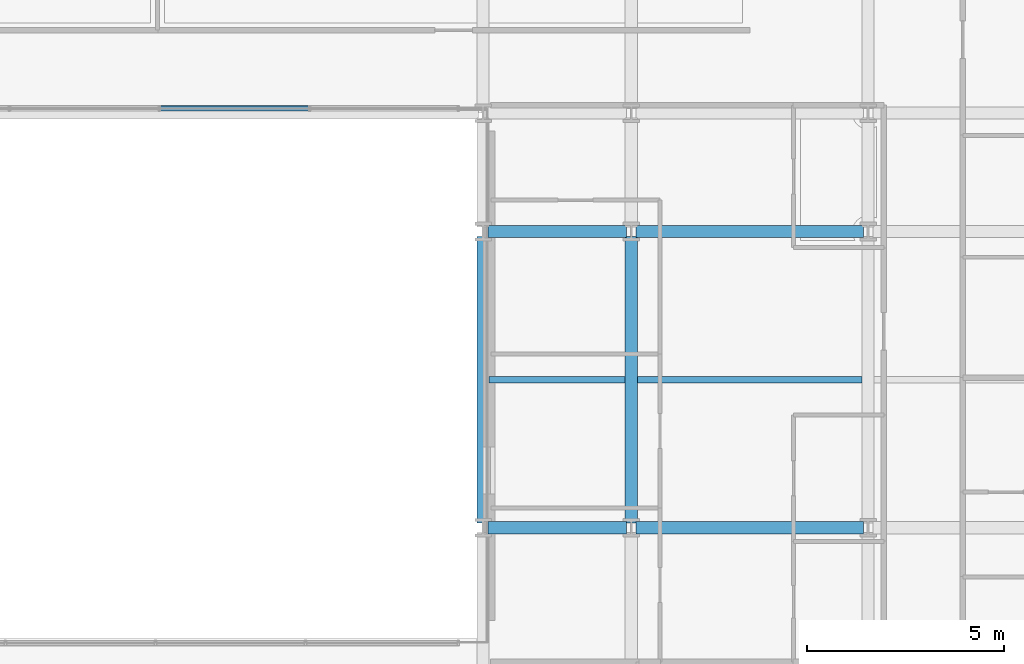
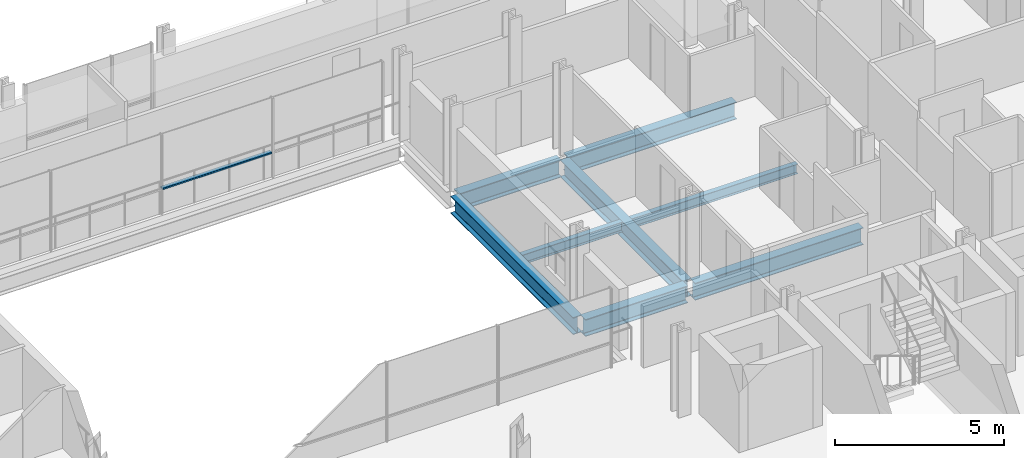
# One storey, part 16 of 38: 8 beams, 1 member, 1 element without a shape of its own.
"""IFC4 building model written with IfcOpenShell, lengths in metres."""

from ifc_helpers import new_model, si_unit, direction, frame, origin, origin_2d, place, context, subcontext, project, spatial, hollow_rectangle, i_section, extrude, material, layer, layer_set, material_profile, profile_set, type_object, element, aggregate, save


model = new_model("IFC4")

# Units and contexts
model_context = context("Model", 3, precision=1e-05, world=origin(), true_north=direction((0.0, 1.0)))
body_context = subcontext(model_context, "Body", "Model", "MODEL_VIEW")
ifc_project = project(units=[si_unit("LENGTHUNIT", "METRE"), si_unit("AREAUNIT", "SQUARE_METRE"), si_unit("VOLUMEUNIT", "CUBIC_METRE"), si_unit("PLANEANGLEUNIT", "RADIAN"), si_unit("MASSUNIT", "GRAM", prefix="KILO")], contexts=[model_context])

# Site, building, storey
site_placement = place(None, origin())
site = spatial("IfcSite", under=ifc_project, at=site_placement, CompositionType="ELEMENT")
building_placement = place(site_placement, origin())
building = spatial("IfcBuilding", under=site, at=building_placement, Name="Brevholm Reach", CompositionType="ELEMENT")
storey_placement = place(building_placement, frame((0.0, 0.0, 46.60009765625)))
storey = spatial("IfcBuildingStorey", under=building, at=storey_placement, Name="L12", CompositionType="ELEMENT", Elevation=46.60009765625)

# Beams
ifc_material_1 = material(Name="Structural Steel S355J2", Category="steel")
ifc_material_profile_1 = material_profile(ifc_material_1, i_section(OverallWidth=0.17138671875, OverallDepth=0.35498046875, WebThickness=0.00732421875, FlangeThickness=0.011474609375, FilletRadius=0.01025390625, at=origin_2d()), Name="UKB 356x171x51")
ifc_profile_set_1 = profile_set([ifc_material_profile_1], Name="Structural Steel S355J2")
beam_type_1 = type_object("IfcBeamType", Name="BM-B356", PredefinedType="BEAM", material=ifc_profile_set_1)
beam_1_placement = place(storey_placement, frame((38.403564453125, 19.75, -0.40771484375), z_axis=(1.0, 0.0, 0.0), x_axis=(0.0, 1.0, 0.0)))
element("IfcBeam", 1, at=beam_1_placement, inside=storey, type_object=beam_type_1, Name="L12 Composite Secondary Floor Beam", PredefinedType="BEAM", context=body_context, shape_type="SweptSolid", body=[
    extrude(i_section(OverallWidth=0.17138671875, OverallDepth=0.35498046875, WebThickness=0.00732421875, FlangeThickness=0.011474609375, FilletRadius=0.01025390625, at=origin_2d()), origin(), (0.0, 0.0, 1.0), 3.44287109375),
])
beam_2_placement = place(storey_placement, frame((42.153564453125, 19.75, -0.40771484375), z_axis=(1.0, 0.0, 0.0), x_axis=(0.0, 1.0, 0.0)))
element("IfcBeam", 2, at=beam_2_placement, inside=storey, type_object=beam_type_1, Name="L12 Composite Secondary Floor Beam", PredefinedType="BEAM", context=body_context, shape_type="SweptSolid", body=[
    extrude(i_section(OverallWidth=0.17138671875, OverallDepth=0.35498046875, WebThickness=0.00732421875, FlangeThickness=0.011474609375, FilletRadius=0.01025390625, at=origin_2d()), origin(), (0.0, 0.0, 1.0), 5.69287109375),
])
ifc_material_2 = material(Name="Structural Steel S355J2", Category="steel")
ifc_material_profile_2 = material_profile(ifc_material_2, i_section(OverallWidth=0.30712890625, OverallDepth=0.6201171875, WebThickness=0.01416015625, FlangeThickness=0.023681640625, FilletRadius=0.0166015625, at=origin_2d()), Name="UKB 610x305x179")
ifc_profile_set_2 = profile_set([ifc_material_profile_2], Name="Structural Steel S355J2")
beam_type_2 = type_object("IfcBeamType", Name="BM-UKB610H", PredefinedType="USERDEFINED", material=ifc_profile_set_2)
beam_3_placement = place(storey_placement, frame((38.3701171875, 16.0, -0.540283203125), z_axis=(1.0, 0.0, 0.0), x_axis=(0.0, 1.0, 0.0)))
element("IfcBeam", 3, at=beam_3_placement, inside=storey, type_object=beam_type_2, Name="L12 G-06 Framing Beam", ObjectType="GIRDER", PredefinedType="USERDEFINED", context=body_context, shape_type="SweptSolid", body=[
    extrude(i_section(OverallWidth=0.30712890625, OverallDepth=0.6201171875, WebThickness=0.01416015625, FlangeThickness=0.023681640625, FilletRadius=0.0166015625, at=origin_2d()), origin(), (0.0, 0.0, 1.0), 3.509765625),
])
beam_4_placement = place(storey_placement, frame((42.1201171875, 16.0, -0.540283203125), z_axis=(1.0, 0.0, 0.0), x_axis=(0.0, 1.0, 0.0)))
element("IfcBeam", 4, at=beam_4_placement, inside=storey, type_object=beam_type_2, Name="L12 G-06 Framing Beam", ObjectType="GIRDER", PredefinedType="USERDEFINED", context=body_context, shape_type="SweptSolid", body=[
    extrude(i_section(OverallWidth=0.30712890625, OverallDepth=0.6201171875, WebThickness=0.01416015625, FlangeThickness=0.023681640625, FilletRadius=0.0166015625, at=origin_2d()), origin(), (0.0, 0.0, 1.0), 5.759765625),
])
beam_5_placement = place(storey_placement, frame((38.3701171875, 23.5, -0.540283203125), z_axis=(1.0, 0.0, 0.0), x_axis=(0.0, 1.0, 0.0)))
element("IfcBeam", 5, at=beam_5_placement, inside=storey, type_object=beam_type_2, Name="L12 G-06 Framing Beam", ObjectType="GIRDER", PredefinedType="USERDEFINED", context=body_context, shape_type="SweptSolid", body=[
    extrude(i_section(OverallWidth=0.30712890625, OverallDepth=0.6201171875, WebThickness=0.01416015625, FlangeThickness=0.023681640625, FilletRadius=0.0166015625, at=origin_2d()), origin(), (0.0, 0.0, 1.0), 3.509765625),
])
beam_6_placement = place(storey_placement, frame((42.1201171875, 23.5, -0.540283203125), z_axis=(1.0, 0.0, 0.0), x_axis=(0.0, 1.0, 0.0)))
element("IfcBeam", 6, at=beam_6_placement, inside=storey, type_object=beam_type_2, Name="L12 G-06 Framing Beam", ObjectType="GIRDER", PredefinedType="USERDEFINED", context=body_context, shape_type="SweptSolid", body=[
    extrude(i_section(OverallWidth=0.30712890625, OverallDepth=0.6201171875, WebThickness=0.01416015625, FlangeThickness=0.023681640625, FilletRadius=0.0166015625, at=origin_2d()), origin(), (0.0, 0.0, 1.0), 5.759765625),
])
for number, where, z_axis, x_axis, name in (
    (7, (38.25, 16.1201171875, -0.540283203125), (0.0, 1.0, 0.0), (-1.0, 0.0, 0.0), "L12 G-06 Framing Beam"),
    (8, (42.0, 16.1201171875, -0.540283203125), (0.0, 1.0, 0.0), (-1.0, 0.0, 0.0), "L12 G-06 Framing Beam"),
):
    element("IfcBeam", number, at=place(storey_placement, frame(where, z_axis=z_axis, x_axis=x_axis)), inside=storey, type_object=beam_type_2, Name=name, ObjectType="GIRDER", PredefinedType="USERDEFINED", context=body_context, shape_type="SweptSolid", body=[
        extrude(i_section(OverallWidth=0.30712890625, OverallDepth=0.6201171875, WebThickness=0.01416015625, FlangeThickness=0.023681640625, FilletRadius=0.0166015625, at=origin_2d()), origin(), (0.0, 0.0, 1.0), 7.259765625),
    ])

# Curtain wall, member
ifc_material_3 = material(Name="Dark Anodised Aluminium 6063-T6 and Solar-Control Glass", Category="aluminium")
ifc_layer = layer(ifc_material_3, 0.139892578125)
ifc_layer_set = layer_set([ifc_layer], Name="Dark Anodised Aluminium 6063-T6 and Solar-Control Glass")
curtain_wall_type = type_object("IfcCurtainWallType", Name="CW-02", PredefinedType="NOTDEFINED", material=ifc_layer_set)
curtain_wall_placement = place(storey_placement, origin())
curtain_wall = element("IfcCurtainWall", 9, at=curtain_wall_placement, inside=storey, type_object=curtain_wall_type, Name="L12 Curtain Wall CW-02", PredefinedType="NOTDEFINED")
ifc_material_4 = material(Name="Dark Anodised Aluminium 6063-T6", Category="aluminium")
ifc_material_profile_3 = material_profile(ifc_material_4, hollow_rectangle(XDim=0.06005859375, YDim=0.139892578125, WallThickness=0.0048828125, InnerFilletRadius=0.0048828125, OuterFilletRadius=0.010009765625, at=origin_2d()), Name="RHS 140x60x5")
ifc_profile_set_3 = profile_set([ifc_material_profile_3], Name="Dark Anodised Aluminium 6063-T6")
member_type = type_object("IfcMemberType", Name="CWT-140", PredefinedType="NOTDEFINED", material=ifc_profile_set_3)
member_placement = place(storey_placement, frame((33.820068359375, 26.6201171875, 0.89990234375), z_axis=(-1.0, 0.0, 0.0), x_axis=(0.0, 0.0, 1.0)))
member = element("IfcMember", 10, at=member_placement, type_object=member_type, Name="CT-140 Transom 2.1", ObjectType="TRANSOM", PredefinedType="USERDEFINED", context=body_context, shape_type="SweptSolid", body=[
    extrude(hollow_rectangle(XDim=0.06005859375, YDim=0.139892578125, WallThickness=0.0048828125, InnerFilletRadius=0.0048828125, OuterFilletRadius=0.010009765625, at=origin_2d()), origin(), (0.0, 0.0, 1.0), 3.739990234375),
])
aggregate(curtain_wall, [member])

save(model, "model.ifc")
